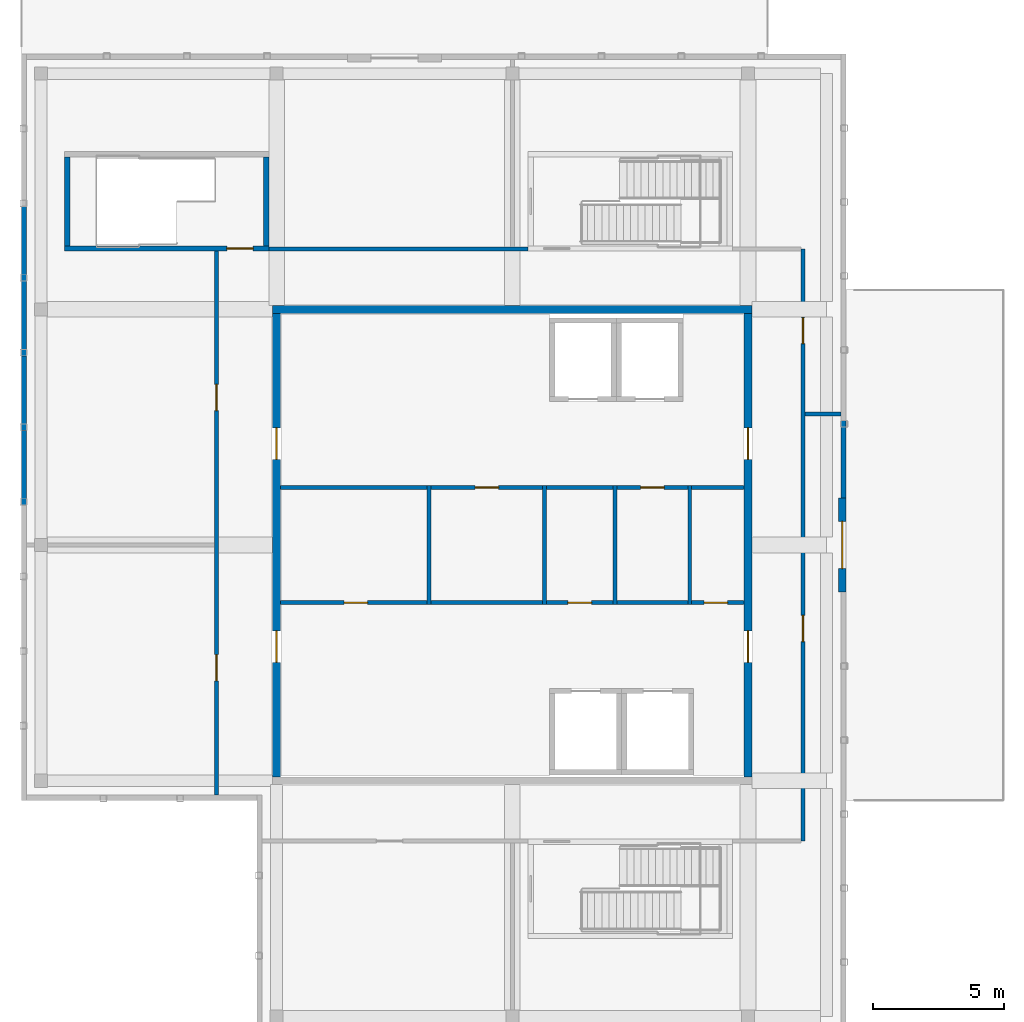
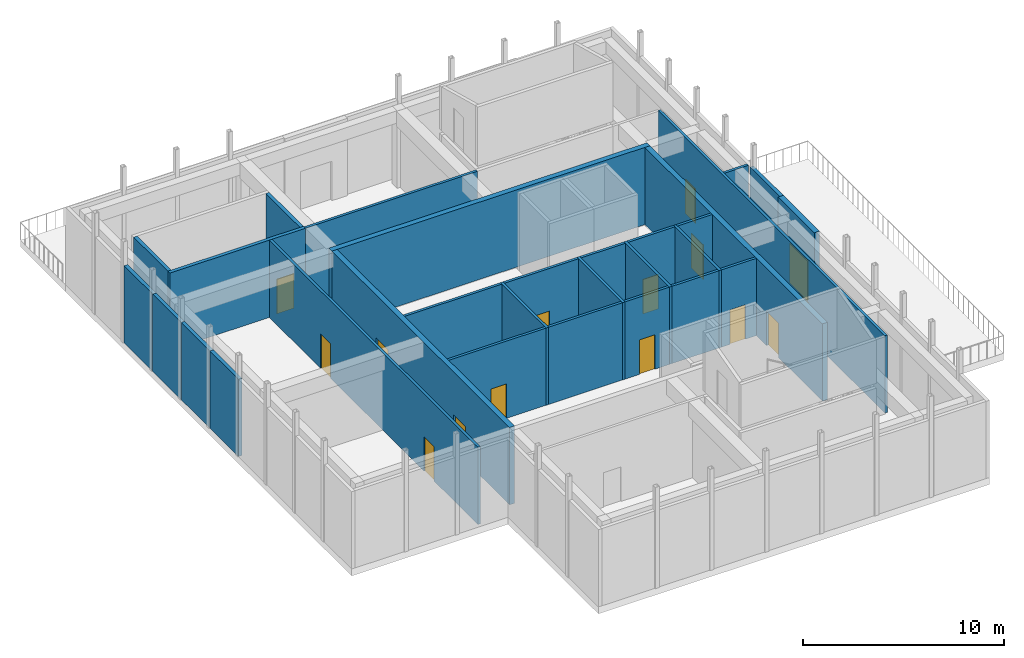
# One storey, part 8 of 11: 30 walls, 15 doors, 15 openings.
"""IFC4 building model written with IfcOpenShell, lengths in metres."""

from ifc_helpers import new_model, si_unit, direction, frame, frame_2d, origin, place, context, subcontext, project, spatial, rectangle, extrude, material, layer, layer_set, type_object, element, fill, save


model = new_model("IFC4")

# Units and contexts
model_context = context("Model", 3, precision=1e-05, world=origin(), true_north=direction((0.0, 1.0)))
body_context = subcontext(model_context, "Body", "Model", "MODEL_VIEW")
ifc_project = project(units=[si_unit("LENGTHUNIT", "METRE"), si_unit("AREAUNIT", "SQUARE_METRE"), si_unit("VOLUMEUNIT", "CUBIC_METRE"), si_unit("PLANEANGLEUNIT", "RADIAN"), si_unit("MASSUNIT", "GRAM", prefix="KILO")], contexts=[model_context])

# Site, building, storey
site_placement = place(None, origin())
site = spatial("IfcSite", under=ifc_project, at=site_placement, CompositionType="ELEMENT")
building_placement = place(site_placement, origin())
building = spatial("IfcBuilding", under=site, at=building_placement, Name="Tuart Plaza Theatre", CompositionType="ELEMENT")
storey_placement = place(building_placement, frame((0.0, 0.0, 65.5)))
storey = spatial("IfcBuildingStorey", under=building, at=storey_placement, Name="L16", CompositionType="ELEMENT", Elevation=65.5)

# Wall
ifc_material_1 = material(Name="Masonry block", Category="masonry")
ifc_layer_1 = layer(ifc_material_1, 0.14990234375)
ifc_layer_set_1 = layer_set([ifc_layer_1], Name="PARTITION BLK150 MASONRYB FRL -/120/120")
wall_type_1 = type_object("IfcWallType", Name="PARTITION BLK150 MASONRYB FRL -/120/120", PredefinedType="PARTITIONING", material=ifc_layer_set_1)
wall_1_placement = place(storey_placement, frame((128.824951171875, 71.72509765625, 0.0), z_axis=(0.0, 0.0, 1.0), x_axis=(0.0, 1.0, 0.0)))
element("IfcWall", 1, at=wall_1_placement, inside=storey, type_object=wall_type_1, Name="P721", PredefinedType="PARTITIONING", context=body_context, shape_type="SweptSolid", body=[
    extrude(rectangle(XDim=4.5498046875, YDim=0.14990234375, at=frame_2d((2.27490234375, 0.0))), origin(), (0.0, 0.0, 1.0), 4.699951171875),
])

# Wall, opening, door
wall_2_placement = place(storey_placement, frame((123.14990234375, 71.800048828125, 0.0), z_axis=(0.0, 0.0, 1.0), x_axis=(1.0, 0.0, 0.0)))
wall_2 = element("IfcWall", 2, at=wall_2_placement, inside=storey, type_object=wall_type_1, Name="P722", PredefinedType="PARTITIONING", context=body_context, shape_type="SweptSolid", body=[
    extrude(rectangle(XDim=5.60009765625, YDim=0.14990234375, at=frame_2d((2.800048828125, 0.0))), origin(), (0.0, 0.0, 1.0), 4.699951171875),
])
opening_1_placement = place(wall_2_placement, frame((2.425048828125, 0.0, 0.0)))
opening_1 = element("IfcOpeningElement", 3, at=opening_1_placement, cuts=wall_2, Name="Opening L16-016", PredefinedType="OPENING", context=body_context, shape_type="SweptSolid", body=[
    extrude(rectangle(XDim=0.89990234375, YDim=2.10009765625, at=frame_2d((0.449951171875, 1.050048828125))), frame((0.0, 0.0849609375, 0.0), z_axis=(0.0, -1.0, 0.0), x_axis=(1.0, 0.0, 0.0)), (0.0, 0.0, 1.0), 0.169921875),
])
ifc_material_2 = material(Name="Steel Grade 300", Category="steel")
door_type_1 = type_object("IfcDoorType", Name="DOOR 900x2100 steel single swing FRL -/120/30", OperationType="SINGLE_SWING_LEFT", PredefinedType="DOOR", material=ifc_material_2)
door_1_placement = place(opening_1_placement, origin())
door_1 = element("IfcDoor", 4, at=door_1_placement, inside=storey, type_object=door_type_1, Name="L16-016", OperationType="SINGLE_SWING_LEFT", OverallHeight=2.10009765625, OverallWidth=0.89990234375, PredefinedType="DOOR", context=body_context, shape_type="SweptSolid", body=[
    extrude(rectangle(XDim=0.89990234375, YDim=2.10009765625, at=frame_2d((0.449951171875, 1.050048828125))), frame((0.0, 0.02490234375, 0.0), z_axis=(0.0, -1.0, 0.0), x_axis=(1.0, 0.0, 0.0)), (0.0, 0.0, 1.0), 0.050048828125),
])
fill(opening_1, door_1)

# Walls
wall_3_placement = place(storey_placement, frame((123.14990234375, 76.199951171875, 0.0), z_axis=(0.0, 0.0, 1.0), x_axis=(1.0, 0.0, 0.0)))
element("IfcWall", 5, at=wall_3_placement, inside=storey, type_object=wall_type_1, Name="P723", PredefinedType="PARTITIONING", context=body_context, shape_type="SweptSolid", body=[
    extrude(rectangle(XDim=5.60009765625, YDim=0.14990234375, at=frame_2d((2.800048828125, 0.0))), origin(), (0.0, 0.0, 1.0), 4.699951171875),
])
wall_4_placement = place(storey_placement, frame((133.22509765625, 71.72509765625, 0.0), z_axis=(0.0, 0.0, 1.0), x_axis=(0.0, 1.0, 0.0)))
element("IfcWall", 6, at=wall_4_placement, inside=storey, type_object=wall_type_1, Name="P724", PredefinedType="PARTITIONING", context=body_context, shape_type="SweptSolid", body=[
    extrude(rectangle(XDim=4.5498046875, YDim=0.14990234375, at=frame_2d((2.27490234375, 0.0))), origin(), (0.0, 0.0, 1.0), 4.699951171875),
])
wall_5_placement = place(storey_placement, frame((128.89990234375, 71.800048828125, 0.0), z_axis=(0.0, 0.0, 1.0), x_axis=(1.0, 0.0, 0.0)))
element("IfcWall", 7, at=wall_5_placement, inside=storey, type_object=wall_type_1, Name="P725", PredefinedType="PARTITIONING", context=body_context, shape_type="SweptSolid", body=[
    extrude(rectangle(XDim=4.25, YDim=0.14990234375, at=frame_2d((2.125, 0.0))), origin(), (0.0, 0.0, 1.0), 4.699951171875),
])

# Wall, opening, door
wall_6_placement = place(storey_placement, frame((128.89990234375, 76.199951171875, 0.0), z_axis=(0.0, 0.0, 1.0), x_axis=(1.0, 0.0, 0.0)))
wall_6 = element("IfcWall", 8, at=wall_6_placement, inside=storey, type_object=wall_type_1, Name="P726", PredefinedType="PARTITIONING", context=body_context, shape_type="SweptSolid", body=[
    extrude(rectangle(XDim=4.25, YDim=0.14990234375, at=frame_2d((2.125, 0.0))), origin(), (0.0, 0.0, 1.0), 4.699951171875),
])
opening_2_placement = place(wall_6_placement, frame((1.675048828125, 0.0, 0.0)))
opening_2 = element("IfcOpeningElement", 9, at=opening_2_placement, cuts=wall_6, Name="Opening L16-017", PredefinedType="OPENING", context=body_context, shape_type="SweptSolid", body=[
    extrude(rectangle(XDim=0.89990234375, YDim=2.10009765625, at=frame_2d((0.449951171875, 1.050048828125))), frame((0.0, 0.0849609375, 0.0), z_axis=(0.0, -1.0, 0.0), x_axis=(1.0, 0.0, 0.0)), (0.0, 0.0, 1.0), 0.169921875),
])
door_2_placement = place(opening_2_placement, frame((0.89990234375, 0.0, 0.0), z_axis=(0.0, 0.0, 1.0), x_axis=(-1.0, 0.0, 0.0)))
door_2 = element("IfcDoor", 10, at=door_2_placement, inside=storey, type_object=door_type_1, Name="L16-017", OperationType="SINGLE_SWING_LEFT", OverallHeight=2.10009765625, OverallWidth=0.89990234375, PredefinedType="DOOR", context=body_context, shape_type="SweptSolid", body=[
    extrude(rectangle(XDim=0.89990234375, YDim=2.10009765625, at=frame_2d((0.449951171875, 1.050048828125))), frame((0.0, 0.02490234375, 0.0), z_axis=(0.0, -1.0, 0.0), x_axis=(1.0, 0.0, 0.0)), (0.0, 0.0, 1.0), 0.050048828125),
])
fill(opening_2, door_2)

# Wall
wall_7_placement = place(storey_placement, frame((135.925048828125, 71.72509765625, 0.0), z_axis=(0.0, 0.0, 1.0), x_axis=(0.0, 1.0, 0.0)))
element("IfcWall", 11, at=wall_7_placement, inside=storey, type_object=wall_type_1, Name="P727", PredefinedType="PARTITIONING", context=body_context, shape_type="SweptSolid", body=[
    extrude(rectangle(XDim=4.5498046875, YDim=0.14990234375, at=frame_2d((2.27490234375, 0.0))), origin(), (0.0, 0.0, 1.0), 4.699951171875),
])

# Wall, opening, door
wall_8_placement = place(storey_placement, frame((133.300048828125, 71.800048828125, 0.0), z_axis=(0.0, 0.0, 1.0), x_axis=(1.0, 0.0, 0.0)))
wall_8 = element("IfcWall", 12, at=wall_8_placement, inside=storey, type_object=wall_type_1, Name="P728", PredefinedType="PARTITIONING", context=body_context, shape_type="SweptSolid", body=[
    extrude(rectangle(XDim=2.550048828125, YDim=0.14990234375, at=frame_2d((1.27490234375, 0.0))), origin(), (0.0, 0.0, 1.0), 4.699951171875),
])
opening_3_placement = place(wall_8_placement, frame((0.824951171875, 0.0, 0.0)))
opening_3 = element("IfcOpeningElement", 13, at=opening_3_placement, cuts=wall_8, Name="Opening L16-018", PredefinedType="OPENING", context=body_context, shape_type="SweptSolid", body=[
    extrude(rectangle(XDim=0.89990234375, YDim=2.10009765625, at=frame_2d((0.449951171875, 1.050048828125))), frame((0.0, 0.0849609375, 0.0), z_axis=(0.0, -1.0, 0.0), x_axis=(1.0, 0.0, 0.0)), (0.0, 0.0, 1.0), 0.169921875),
])
door_3_placement = place(opening_3_placement, origin())
door_3 = element("IfcDoor", 14, at=door_3_placement, inside=storey, type_object=door_type_1, Name="L16-018", OperationType="SINGLE_SWING_LEFT", OverallHeight=2.10009765625, OverallWidth=0.89990234375, PredefinedType="DOOR", context=body_context, shape_type="SweptSolid", body=[
    extrude(rectangle(XDim=0.89990234375, YDim=2.10009765625, at=frame_2d((0.449951171875, 1.050048828125))), frame((0.0, 0.02490234375, 0.0), z_axis=(0.0, -1.0, 0.0), x_axis=(1.0, 0.0, 0.0)), (0.0, 0.0, 1.0), 0.050048828125),
])
fill(opening_3, door_3)

# Walls
wall_9_placement = place(storey_placement, frame((133.300048828125, 76.199951171875, 0.0), z_axis=(0.0, 0.0, 1.0), x_axis=(1.0, 0.0, 0.0)))
element("IfcWall", 15, at=wall_9_placement, inside=storey, type_object=wall_type_1, Name="P729", PredefinedType="PARTITIONING", context=body_context, shape_type="SweptSolid", body=[
    extrude(rectangle(XDim=2.550048828125, YDim=0.14990234375, at=frame_2d((1.27490234375, 0.0))), origin(), (0.0, 0.0, 1.0), 4.699951171875),
])
wall_10_placement = place(storey_placement, frame((138.77490234375, 71.72509765625, 0.0), z_axis=(0.0, 0.0, 1.0), x_axis=(0.0, 1.0, 0.0)))
element("IfcWall", 16, at=wall_10_placement, inside=storey, type_object=wall_type_1, Name="P730", PredefinedType="PARTITIONING", context=body_context, shape_type="SweptSolid", body=[
    extrude(rectangle(XDim=4.5498046875, YDim=0.14990234375, at=frame_2d((2.27490234375, 0.0))), origin(), (0.0, 0.0, 1.0), 4.699951171875),
])
wall_11_placement = place(storey_placement, frame((136.0, 71.800048828125, 0.0), z_axis=(0.0, 0.0, 1.0), x_axis=(1.0, 0.0, 0.0)))
element("IfcWall", 17, at=wall_11_placement, inside=storey, type_object=wall_type_1, Name="P731", PredefinedType="PARTITIONING", context=body_context, shape_type="SweptSolid", body=[
    extrude(rectangle(XDim=2.699951171875, YDim=0.14990234375, at=frame_2d((1.35009765625, 0.0))), origin(), (0.0, 0.0, 1.0), 4.699951171875),
])

# Wall, opening, door
wall_12_placement = place(storey_placement, frame((136.0, 76.199951171875, 0.0), z_axis=(0.0, 0.0, 1.0), x_axis=(1.0, 0.0, 0.0)))
wall_12 = element("IfcWall", 18, at=wall_12_placement, inside=storey, type_object=wall_type_1, Name="P732", PredefinedType="PARTITIONING", context=body_context, shape_type="SweptSolid", body=[
    extrude(rectangle(XDim=2.699951171875, YDim=0.14990234375, at=frame_2d((1.35009765625, 0.0))), origin(), (0.0, 0.0, 1.0), 4.699951171875),
])
opening_4_placement = place(wall_12_placement, frame((0.89990234375, 0.0, 0.0)))
opening_4 = element("IfcOpeningElement", 19, at=opening_4_placement, cuts=wall_12, Name="Opening L16-019", PredefinedType="OPENING", context=body_context, shape_type="SweptSolid", body=[
    extrude(rectangle(XDim=0.89990234375, YDim=2.10009765625, at=frame_2d((0.449951171875, 1.050048828125))), frame((0.0, 0.0849609375, 0.0), z_axis=(0.0, -1.0, 0.0), x_axis=(1.0, 0.0, 0.0)), (0.0, 0.0, 1.0), 0.169921875),
])
door_4_placement = place(opening_4_placement, frame((0.89990234375, 0.0, 0.0), z_axis=(0.0, 0.0, 1.0), x_axis=(-1.0, 0.0, 0.0)))
door_4 = element("IfcDoor", 20, at=door_4_placement, inside=storey, type_object=door_type_1, Name="L16-019", OperationType="SINGLE_SWING_LEFT", OverallHeight=2.10009765625, OverallWidth=0.89990234375, PredefinedType="DOOR", context=body_context, shape_type="SweptSolid", body=[
    extrude(rectangle(XDim=0.89990234375, YDim=2.10009765625, at=frame_2d((0.449951171875, 1.050048828125))), frame((0.0, 0.02490234375, 0.0), z_axis=(0.0, -1.0, 0.0), x_axis=(1.0, 0.0, 0.0)), (0.0, 0.0, 1.0), 0.050048828125),
])
fill(opening_4, door_4)

wall_13_placement = place(storey_placement, frame((138.85009765625, 71.800048828125, 0.0), z_axis=(0.0, 0.0, 1.0), x_axis=(1.0, 0.0, 0.0)))
wall_13 = element("IfcWall", 21, at=wall_13_placement, inside=storey, type_object=wall_type_1, Name="P733", PredefinedType="PARTITIONING", context=body_context, shape_type="SweptSolid", body=[
    extrude(rectangle(XDim=2.0, YDim=0.14990234375, at=frame_2d((1.0, 0.0))), origin(), (0.0, 0.0, 1.0), 4.699951171875),
])
opening_5_placement = place(wall_13_placement, frame((0.47509765625, 0.0, 0.0)))
opening_5 = element("IfcOpeningElement", 22, at=opening_5_placement, cuts=wall_13, Name="Opening L16-020", PredefinedType="OPENING", context=body_context, shape_type="SweptSolid", body=[
    extrude(rectangle(XDim=0.89990234375, YDim=2.10009765625, at=frame_2d((0.449951171875, 1.050048828125))), frame((0.0, 0.0849609375, 0.0), z_axis=(0.0, -1.0, 0.0), x_axis=(1.0, 0.0, 0.0)), (0.0, 0.0, 1.0), 0.169921875),
])
door_5_placement = place(opening_5_placement, origin())
door_5 = element("IfcDoor", 23, at=door_5_placement, inside=storey, type_object=door_type_1, Name="L16-020", OperationType="SINGLE_SWING_RIGHT", OverallHeight=2.10009765625, OverallWidth=0.89990234375, PredefinedType="DOOR", context=body_context, shape_type="SweptSolid", body=[
    extrude(rectangle(XDim=0.89990234375, YDim=2.10009765625, at=frame_2d((0.449951171875, 1.050048828125))), frame((0.0, 0.02490234375, 0.0), z_axis=(0.0, -1.0, 0.0), x_axis=(1.0, 0.0, 0.0)), (0.0, 0.0, 1.0), 0.050048828125),
])
fill(opening_5, door_5)

# Wall
wall_14_placement = place(storey_placement, frame((138.85009765625, 76.199951171875, 0.0), z_axis=(0.0, 0.0, 1.0), x_axis=(1.0, 0.0, 0.0)))
element("IfcWall", 24, at=wall_14_placement, inside=storey, type_object=wall_type_1, Name="P734", PredefinedType="PARTITIONING", context=body_context, shape_type="SweptSolid", body=[
    extrude(rectangle(XDim=2.0, YDim=0.14990234375, at=frame_2d((1.0, 0.0))), origin(), (0.0, 0.0, 1.0), 4.699951171875),
])

# Wall, openings, doors
ifc_material_3 = material(Name="Masonry block", Category="masonry")
ifc_layer_2 = layer(ifc_material_3, 0.14990234375)
ifc_layer_set_2 = layer_set([ifc_layer_2], Name="PARTITION BLK150 MASONRYB FRL 120/-/-")
wall_type_2 = type_object("IfcWallType", Name="PARTITION BLK150 MASONRYB FRL 120/-/-", PredefinedType="PARTITIONING", material=ifc_layer_set_2)
wall_15_placement = place(storey_placement, frame((120.699951171875, 64.449951171875, 0.0), z_axis=(0.0, 0.0, 1.0), x_axis=(0.0, 1.0, 0.0)))
wall_15 = element("IfcWall", 25, at=wall_15_placement, inside=storey, type_object=wall_type_2, Name="P737", PredefinedType="PARTITIONING", context=body_context, shape_type="SweptSolid", body=[
    extrude(rectangle(XDim=20.775146484375, YDim=0.14990234375, at=frame_2d((10.3876953125, 0.0))), origin(), (0.0, 0.0, 1.0), 4.699951171875),
])
opening_6_placement = place(wall_15_placement, frame((4.362548828125, 0.0, 0.0)))
opening_6 = element("IfcOpeningElement", 26, at=opening_6_placement, cuts=wall_15, Name="Opening L16-023", PredefinedType="OPENING", context=body_context, shape_type="SweptSolid", body=[
    extrude(rectangle(XDim=1.0, YDim=2.10009765625, at=frame_2d((0.5, 1.050048828125))), frame((0.0, 0.0849609375, 0.0), z_axis=(0.0, -1.0, 0.0), x_axis=(1.0, 0.0, 0.0)), (0.0, 0.0, 1.0), 0.169921875),
])
opening_7_placement = place(wall_15_placement, frame((14.68505859375, 0.0, 0.0)))
opening_7 = element("IfcOpeningElement", 27, at=opening_7_placement, cuts=wall_15, Name="Opening L16-024", PredefinedType="OPENING", context=body_context, shape_type="SweptSolid", body=[
    extrude(rectangle(XDim=1.0, YDim=2.10009765625, at=frame_2d((0.5, 1.050048828125))), frame((0.0, 0.0849609375, 0.0), z_axis=(0.0, -1.0, 0.0), x_axis=(1.0, 0.0, 0.0)), (0.0, 0.0, 1.0), 0.169921875),
])
ifc_material_4 = material(Name="Timber", Category="wood")
door_type_2 = type_object("IfcDoorType", Name="DOOR 1000x2100 timber single swing FRL -/60/30", OperationType="SINGLE_SWING_LEFT", PredefinedType="DOOR", material=ifc_material_4)
door_6_placement = place(opening_6_placement, origin())
door_6 = element("IfcDoor", 28, at=door_6_placement, inside=storey, type_object=door_type_2, Name="L16-023", OperationType="SINGLE_SWING_RIGHT", OverallHeight=2.10009765625, OverallWidth=1.0, PredefinedType="DOOR", context=body_context, shape_type="SweptSolid", body=[
    extrude(rectangle(XDim=1.0, YDim=2.10009765625, at=frame_2d((0.5, 1.050048828125))), frame((0.0, 0.02490234375, 0.0), z_axis=(0.0, -1.0, 0.0), x_axis=(1.0, 0.0, 0.0)), (0.0, 0.0, 1.0), 0.050048828125),
])
fill(opening_6, door_6)
door_7_placement = place(opening_7_placement, origin())
door_7 = element("IfcDoor", 29, at=door_7_placement, inside=storey, type_object=door_type_2, Name="L16-024", OperationType="SINGLE_SWING_LEFT", OverallHeight=2.10009765625, OverallWidth=1.0, PredefinedType="DOOR", context=body_context, shape_type="SweptSolid", body=[
    extrude(rectangle(XDim=1.0, YDim=2.10009765625, at=frame_2d((0.5, 1.050048828125))), frame((0.0, 0.02490234375, 0.0), z_axis=(0.0, -1.0, 0.0), x_axis=(1.0, 0.0, 0.0)), (0.0, 0.0, 1.0), 0.050048828125),
])
fill(opening_7, door_7)

# Wall
wall_16_placement = place(storey_placement, frame((122.699951171875, 85.300048828125, 0.0), z_axis=(0.0, 0.0, 1.0), x_axis=(1.0, 0.0, 0.0)))
element("IfcWall", 30, at=wall_16_placement, inside=storey, type_object=wall_type_2, Name="P738", PredefinedType="PARTITIONING", context=body_context, shape_type="SweptSolid", body=[
    extrude(rectangle(XDim=9.900146484375, YDim=0.14990234375, at=frame_2d((4.9501953125, 0.0))), origin(), (0.0, 0.0, 1.0), 4.699951171875),
])

# Wall, openings, doors
wall_17_placement = place(storey_placement, frame((143.10009765625, 85.300048828125, 0.0), z_axis=(0.0, 0.0, 1.0), x_axis=(0.0, -1.0, 0.0)))
wall_17 = element("IfcWall", 31, at=wall_17_placement, inside=storey, type_object=wall_type_2, Name="P740", PredefinedType="PARTITIONING", context=body_context, shape_type="SweptSolid", body=[
    extrude(rectangle(XDim=22.60009765625, YDim=0.14990234375, at=frame_2d((11.300048828125, 0.0))), origin(), (0.0, 0.0, 1.0), 4.699951171875),
])
opening_8_placement = place(wall_17_placement, frame((13.987548828125, 0.0, 0.0)))
opening_8 = element("IfcOpeningElement", 32, at=opening_8_placement, cuts=wall_17, Name="Opening L16-022", PredefinedType="OPENING", context=body_context, shape_type="SweptSolid", body=[
    extrude(rectangle(XDim=1.0, YDim=2.10009765625, at=frame_2d((0.5, 1.050048828125))), frame((0.0, 0.0849609375, 0.0), z_axis=(0.0, -1.0, 0.0), x_axis=(1.0, 0.0, 0.0)), (0.0, 0.0, 1.0), 0.169921875),
])
opening_9_placement = place(wall_17_placement, frame((2.612548828125, 0.0, 0.0)))
opening_9 = element("IfcOpeningElement", 33, at=opening_9_placement, cuts=wall_17, Name="Opening L16-025", PredefinedType="OPENING", context=body_context, shape_type="SweptSolid", body=[
    extrude(rectangle(XDim=1.0, YDim=2.10009765625, at=frame_2d((0.5, 1.050048828125))), frame((0.0, 0.0849609375, 0.0), z_axis=(0.0, -1.0, 0.0), x_axis=(1.0, 0.0, 0.0)), (0.0, 0.0, 1.0), 0.169921875),
])
door_8_placement = place(opening_8_placement, origin())
door_8 = element("IfcDoor", 34, at=door_8_placement, inside=storey, type_object=door_type_2, Name="L16-022", OperationType="SINGLE_SWING_LEFT", OverallHeight=2.10009765625, OverallWidth=1.0, PredefinedType="DOOR", context=body_context, shape_type="SweptSolid", body=[
    extrude(rectangle(XDim=1.0, YDim=2.10009765625, at=frame_2d((0.5, 1.050048828125))), frame((0.0, 0.02490234375, 0.0), z_axis=(0.0, -1.0, 0.0), x_axis=(1.0, 0.0, 0.0)), (0.0, 0.0, 1.0), 0.050048828125),
])
fill(opening_8, door_8)
door_9_placement = place(opening_9_placement, frame((1.0, 0.0, 0.0), z_axis=(0.0, 0.0, 1.0), x_axis=(-1.0, 0.0, 0.0)))
door_9 = element("IfcDoor", 35, at=door_9_placement, inside=storey, type_object=door_type_2, Name="L16-025", OperationType="SINGLE_SWING_LEFT", OverallHeight=2.10009765625, OverallWidth=1.0, PredefinedType="DOOR", context=body_context, shape_type="SweptSolid", body=[
    extrude(rectangle(XDim=1.0, YDim=2.10009765625, at=frame_2d((0.5, 1.050048828125))), frame((0.0, 0.02490234375, 0.0), z_axis=(0.0, -1.0, 0.0), x_axis=(1.0, 0.0, 0.0)), (0.0, 0.0, 1.0), 0.050048828125),
])
fill(opening_9, door_9)

# Wall
wall_18_placement = place(storey_placement, frame((143.174072265625, 79.0, 0.0), z_axis=(0.0, 0.0, 1.0), x_axis=(1.0, 0.0, 0.0)))
element("IfcWall", 36, at=wall_18_placement, inside=storey, type_object=wall_type_2, Name="P744", PredefinedType="PARTITIONING", context=body_context, shape_type="SweptSolid", body=[
    extrude(rectangle(XDim=1.376953125, YDim=0.14990234375, at=frame_2d((0.6884765625, 0.0))), origin(), (0.0, 0.0, 1.0), 4.699951171875),
])

# Wall, opening, door
ifc_material_5 = material(Name="Concrete N40 (40 MPa)", Category="concrete")
ifc_layer_3 = layer(ifc_material_5, 0.199951171875)
ifc_layer_set_3 = layer_set([ifc_layer_3], Name="SHEAR WALL RC200 FRL 120/120/120")
wall_type_3 = type_object("IfcWallType", Name="SHEAR WALL RC200 FRL 120/120/120", PredefinedType="SHEAR", material=ifc_layer_set_3)
wall_19_placement = place(storey_placement, frame((114.89990234375, 85.324951171875, 0.0), z_axis=(0.0, 0.0, 1.0), x_axis=(1.0, 0.0, 0.0)))
wall_19 = element("IfcWall", 37, at=wall_19_placement, inside=storey, type_object=wall_type_3, Name="P472", PredefinedType="SHEAR", context=body_context, shape_type="SweptSolid", body=[
    extrude(rectangle(XDim=7.800048828125, YDim=0.199951171875, at=frame_2d((3.89990234375, 0.0))), origin(), (0.0, 0.0, 1.0), 4.699951171875),
])
opening_10_placement = place(wall_19_placement, frame((6.199951171875, 0.0, 0.0)))
opening_10 = element("IfcOpeningElement", 38, at=opening_10_placement, cuts=wall_19, Name="Opening L16-009", PredefinedType="OPENING", context=body_context, shape_type="SweptSolid", body=[
    extrude(rectangle(XDim=1.0, YDim=2.10009765625, at=frame_2d((0.5, 1.050048828125))), frame((0.0, 0.10986328125, 0.0), z_axis=(0.0, -1.0, 0.0), x_axis=(1.0, 0.0, 0.0)), (0.0, 0.0, 1.0), 0.219970703125),
])
ifc_material_6 = material(Name="Steel Grade 300", Category="steel")
door_type_3 = type_object("IfcDoorType", Name="DOOR 1000x2100 steel single swing FRL -/120/30", OperationType="SINGLE_SWING_LEFT", PredefinedType="DOOR", material=ifc_material_6)
door_10_placement = place(opening_10_placement, origin())
door_10 = element("IfcDoor", 39, at=door_10_placement, inside=storey, type_object=door_type_3, Name="L16-009", OperationType="SINGLE_SWING_LEFT", OverallHeight=2.10009765625, OverallWidth=1.0, PredefinedType="DOOR", context=body_context, shape_type="SweptSolid", body=[
    extrude(rectangle(XDim=1.0, YDim=2.10009765625, at=frame_2d((0.5, 1.050048828125))), frame((0.0, 0.02490234375, 0.0), z_axis=(0.0, -1.0, 0.0), x_axis=(1.0, 0.0, 0.0)), (0.0, 0.0, 1.0), 0.050048828125),
])
fill(opening_10, door_10)

# Walls
for number, where, z_axis, x_axis, name in (
    (40, (122.60009765625, 85.425048828125, 0.0), (0.0, 0.0, 1.0), (0.0, 1.0, 0.0), "P473"),
    (41, (115.0, 88.824951171875, 0.0), (0.0, 0.0, 1.0), (0.0, -1.0, 0.0), "P475"),
):
    element("IfcWall", number, at=place(storey_placement, frame(where, z_axis=z_axis, x_axis=x_axis)), inside=storey, type_object=wall_type_3, Name=name, PredefinedType="SHEAR", context=body_context, shape_type="SweptSolid", body=[
        extrude(rectangle(XDim=3.39990234375, YDim=0.199951171875, at=frame_2d((1.699951171875, 0.0))), origin(), (0.0, 0.0, 1.0), 4.699951171875),
    ])

# Wall, openings, doors
ifc_material_7 = material(Name="Concrete N40 (40 MPa)", Category="concrete")
ifc_layer_4 = layer(ifc_material_7, 0.300048828125)
ifc_layer_set_4 = layer_set([ifc_layer_4], Name="SHEAR WALL RC300 FRL 120/120/120")
wall_type_4 = type_object("IfcWallType", Name="SHEAR WALL RC300 FRL 120/120/120", PredefinedType="SHEAR", material=ifc_layer_set_4)
wall_20_placement = place(storey_placement, frame((141.0, 65.14990234375, 0.0), z_axis=(0.0, 0.0, 1.0), x_axis=(0.0, 1.0, 0.0)))
wall_20 = element("IfcWall", 42, at=wall_20_placement, inside=storey, type_object=wall_type_4, Name="W444", PredefinedType="SHEAR", context=body_context, shape_type="SweptSolid", body=[
    extrude(rectangle(XDim=17.7001953125, YDim=0.300048828125, at=frame_2d((8.85009765625, 0.0))), origin(), (0.0, 0.0, 1.0), 4.699951171875),
])
opening_11_placement = place(wall_20_placement, frame((4.375, 0.0, 0.0)))
opening_11 = element("IfcOpeningElement", 43, at=opening_11_placement, cuts=wall_20, Name="Opening L16-013", PredefinedType="OPENING", context=body_context, shape_type="SweptSolid", body=[
    extrude(rectangle(XDim=1.199951171875, YDim=2.10009765625, at=frame_2d((0.60009765625, 1.050048828125))), frame((0.0, 0.159912109375, 0.0), z_axis=(0.0, -1.0, 0.0), x_axis=(1.0, 0.0, 0.0)), (0.0, 0.0, 1.0), 0.320068359375),
])
opening_12_placement = place(wall_20_placement, frame((12.125, 0.0, 0.0)))
opening_12 = element("IfcOpeningElement", 44, at=opening_12_placement, cuts=wall_20, Name="Opening L16-015", PredefinedType="OPENING", context=body_context, shape_type="SweptSolid", body=[
    extrude(rectangle(XDim=1.199951171875, YDim=2.10009765625, at=frame_2d((0.60009765625, 1.050048828125))), frame((0.0, 0.159912109375, 0.0), z_axis=(0.0, -1.0, 0.0), x_axis=(1.0, 0.0, 0.0)), (0.0, 0.0, 1.0), 0.320068359375),
])
ifc_material_8 = material(Name="Steel Grade 300", Category="steel")
door_type_4 = type_object("IfcDoorType", Name="DOOR 1200x2100 steel single swing FRL -/120/30", OperationType="SINGLE_SWING_LEFT", PredefinedType="DOOR", material=ifc_material_8)
door_11_placement = place(opening_11_placement, frame((1.199951171875, 0.0, 0.0), z_axis=(0.0, 0.0, 1.0), x_axis=(-1.0, 0.0, 0.0)))
door_11 = element("IfcDoor", 45, at=door_11_placement, inside=storey, type_object=door_type_4, Name="L16-013", OperationType="SINGLE_SWING_LEFT", OverallHeight=2.10009765625, OverallWidth=1.199951171875, PredefinedType="DOOR", context=body_context, shape_type="SweptSolid", body=[
    extrude(rectangle(XDim=1.199951171875, YDim=2.10009765625, at=frame_2d((0.60009765625, 1.050048828125))), frame((0.0, 0.02490234375, 0.0), z_axis=(0.0, -1.0, 0.0), x_axis=(1.0, 0.0, 0.0)), (0.0, 0.0, 1.0), 0.050048828125),
])
fill(opening_11, door_11)
door_12_placement = place(opening_12_placement, frame((1.199951171875, 0.0, 0.0), z_axis=(0.0, 0.0, 1.0), x_axis=(-1.0, 0.0, 0.0)))
door_12 = element("IfcDoor", 46, at=door_12_placement, inside=storey, type_object=door_type_4, Name="L16-015", OperationType="SINGLE_SWING_RIGHT", OverallHeight=2.10009765625, OverallWidth=1.199951171875, PredefinedType="DOOR", context=body_context, shape_type="SweptSolid", body=[
    extrude(rectangle(XDim=1.199951171875, YDim=2.10009765625, at=frame_2d((0.60009765625, 1.050048828125))), frame((0.0, 0.02490234375, 0.0), z_axis=(0.0, -1.0, 0.0), x_axis=(1.0, 0.0, 0.0)), (0.0, 0.0, 1.0), 0.050048828125),
])
fill(opening_12, door_12)

# Wall
wall_21_placement = place(storey_placement, frame((141.14990234375, 83.0, 0.0), z_axis=(0.0, 0.0, 1.0), x_axis=(-1.0, 0.0, 0.0)))
element("IfcWall", 47, at=wall_21_placement, inside=storey, type_object=wall_type_4, Name="W445", PredefinedType="SHEAR", context=body_context, shape_type="SweptSolid", body=[
    extrude(rectangle(XDim=18.2998046875, YDim=0.300048828125, at=frame_2d((9.14990234375, 0.0))), origin(), (0.0, 0.0, 1.0), 4.699951171875),
])

# Wall, openings, doors
wall_22_placement = place(storey_placement, frame((123.0, 82.85009765625, 0.0), z_axis=(0.0, 0.0, 1.0), x_axis=(0.0, -1.0, 0.0)))
wall_22 = element("IfcWall", 48, at=wall_22_placement, inside=storey, type_object=wall_type_4, Name="W446", PredefinedType="SHEAR", context=body_context, shape_type="SweptSolid", body=[
    extrude(rectangle(XDim=17.7001953125, YDim=0.300048828125, at=frame_2d((8.85009765625, 0.0))), origin(), (0.0, 0.0, 1.0), 4.699951171875),
])
opening_13_placement = place(wall_22_placement, frame((12.125, 0.0, 0.0)))
opening_13 = element("IfcOpeningElement", 49, at=opening_13_placement, cuts=wall_22, Name="Opening L16-012", PredefinedType="OPENING", context=body_context, shape_type="SweptSolid", body=[
    extrude(rectangle(XDim=1.199951171875, YDim=2.10009765625, at=frame_2d((0.60009765625, 1.050048828125))), frame((0.0, 0.159912109375, 0.0), z_axis=(0.0, -1.0, 0.0), x_axis=(1.0, 0.0, 0.0)), (0.0, 0.0, 1.0), 0.320068359375),
])
opening_14_placement = place(wall_22_placement, frame((4.375, 0.0, 0.0)))
opening_14 = element("IfcOpeningElement", 50, at=opening_14_placement, cuts=wall_22, Name="Opening L16-014", PredefinedType="OPENING", context=body_context, shape_type="SweptSolid", body=[
    extrude(rectangle(XDim=1.199951171875, YDim=2.10009765625, at=frame_2d((0.60009765625, 1.050048828125))), frame((0.0, 0.159912109375, 0.0), z_axis=(0.0, -1.0, 0.0), x_axis=(1.0, 0.0, 0.0)), (0.0, 0.0, 1.0), 0.320068359375),
])
door_13_placement = place(opening_13_placement, frame((1.199951171875, 0.0, 0.0), z_axis=(0.0, 0.0, 1.0), x_axis=(-1.0, 0.0, 0.0)))
door_13 = element("IfcDoor", 51, at=door_13_placement, inside=storey, type_object=door_type_4, Name="L16-012", OperationType="SINGLE_SWING_RIGHT", OverallHeight=2.10009765625, OverallWidth=1.199951171875, PredefinedType="DOOR", context=body_context, shape_type="SweptSolid", body=[
    extrude(rectangle(XDim=1.199951171875, YDim=2.10009765625, at=frame_2d((0.60009765625, 1.050048828125))), frame((0.0, 0.02490234375, 0.0), z_axis=(0.0, -1.0, 0.0), x_axis=(1.0, 0.0, 0.0)), (0.0, 0.0, 1.0), 0.050048828125),
])
fill(opening_13, door_13)
door_14_placement = place(opening_14_placement, frame((1.199951171875, 0.0, 0.0), z_axis=(0.0, 0.0, 1.0), x_axis=(-1.0, 0.0, 0.0)))
door_14 = element("IfcDoor", 52, at=door_14_placement, inside=storey, type_object=door_type_4, Name="L16-014", OperationType="SINGLE_SWING_LEFT", OverallHeight=2.10009765625, OverallWidth=1.199951171875, PredefinedType="DOOR", context=body_context, shape_type="SweptSolid", body=[
    extrude(rectangle(XDim=1.199951171875, YDim=2.10009765625, at=frame_2d((0.60009765625, 1.050048828125))), frame((0.0, 0.02490234375, 0.0), z_axis=(0.0, -1.0, 0.0), x_axis=(1.0, 0.0, 0.0)), (0.0, 0.0, 1.0), 0.050048828125),
])
fill(opening_14, door_14)

# Walls
ifc_material_9 = material(Name="Steel perforated panel", Category="steel")
ifc_layer_5 = layer(ifc_material_9, 0.199951171875)
ifc_layer_set_5 = layer_set([ifc_layer_5], Name="WALL CLD200 STEELPER EXT plant screen")
wall_type_5 = type_object("IfcWallType", Name="WALL CLD200 STEELPER EXT plant screen", PredefinedType="SOLIDWALL", material=ifc_layer_set_5)
wall_23_placement = place(storey_placement, frame((144.64990234375, 75.800048828125, 0.0), z_axis=(0.0, 0.0, 1.0), x_axis=(0.0, 1.0, 0.0)))
element("IfcWall", 53, at=wall_23_placement, inside=storey, type_object=wall_type_5, Name="P149", PredefinedType="SOLIDWALL", context=body_context, shape_type="SweptSolid", body=[
    extrude(rectangle(XDim=2.949951171875, YDim=0.199951171875, at=frame_2d((1.47509765625, 0.0))), origin(), (0.0, 0.0, 1.0), 4.699951171875),
])
wall_24_placement = place(storey_placement, frame((113.35009765625, 86.925048828125, 0.0), z_axis=(0.0, 0.0, 1.0), x_axis=(0.0, -1.0, 0.0)))
element("IfcWall", 54, at=wall_24_placement, inside=storey, type_object=wall_type_5, Name="P167", PredefinedType="SOLIDWALL", context=body_context, shape_type="SweptSolid", body=[
    extrude(rectangle(XDim=2.85009765625, YDim=0.199951171875, at=frame_2d((1.425048828125, 0.0))), origin(), (0.0, 0.0, 1.0), 4.699951171875),
])
wall_25_placement = place(storey_placement, frame((113.35009765625, 84.074951171875, 0.0), z_axis=(0.0, 0.0, 1.0), x_axis=(0.0, -1.0, 0.0)))
element("IfcWall", 55, at=wall_25_placement, inside=storey, type_object=wall_type_5, Name="P168", PredefinedType="SOLIDWALL", context=body_context, shape_type="SweptSolid", body=[
    extrude(rectangle(XDim=2.849853515625, YDim=0.199951171875, at=frame_2d((1.4248046875, 0.0))), origin(), (0.0, 0.0, 1.0), 4.699951171875),
])
for number, where, z_axis, x_axis, name in (
    (56, (113.35009765625, 81.22509765625, 0.0), (0.0, 0.0, 1.0), (0.0, -1.0, 0.0), "P169"),
    (57, (113.35009765625, 78.375, 0.0), (0.0, 0.0, 1.0), (0.0, -1.0, 0.0), "P170"),
):
    element("IfcWall", number, at=place(storey_placement, frame(where, z_axis=z_axis, x_axis=x_axis)), inside=storey, type_object=wall_type_5, Name=name, PredefinedType="SOLIDWALL", context=body_context, shape_type="SweptSolid", body=[
        extrude(rectangle(XDim=2.85009765625, YDim=0.199951171875, at=frame_2d((1.425048828125, 0.0))), origin(), (0.0, 0.0, 1.0), 4.699951171875),
    ])

# Wall, opening, door
ifc_material_10 = material(Name="Concrete N40 (40 MPa)", Category="concrete")
ifc_layer_6 = layer(ifc_material_10, 0.300048828125)
ifc_layer_set_6 = layer_set([ifc_layer_6], Name="WALL RC300 EXT clad")
wall_type_6 = type_object("IfcWallType", Name="WALL RC300 EXT clad", PredefinedType="SOLIDWALL", material=ifc_layer_set_6)
wall_26_placement = place(storey_placement, frame((144.60009765625, 72.199951171875, 0.0), z_axis=(0.0, 0.0, 1.0), x_axis=(0.0, 1.0, 0.0)))
wall_26 = element("IfcWall", 58, at=wall_26_placement, inside=storey, type_object=wall_type_6, Name="P148", PredefinedType="SOLIDWALL", context=body_context, shape_type="SweptSolid", body=[
    extrude(rectangle(XDim=3.60009765625, YDim=0.300048828125, at=frame_2d((1.800048828125, 0.0))), origin(), (0.0, 0.0, 1.0), 4.699951171875),
])
opening_15_placement = place(wall_26_placement, frame((0.89990234375, 0.0, 0.0)))
opening_15 = element("IfcOpeningElement", 59, at=opening_15_placement, cuts=wall_26, Name="Opening L16-001", PredefinedType="OPENING", context=body_context, shape_type="SweptSolid", body=[
    extrude(rectangle(XDim=1.800048828125, YDim=2.39990234375, at=frame_2d((0.89990234375, 1.199951171875))), frame((0.0, 0.159912109375, 0.0), z_axis=(0.0, -1.0, 0.0), x_axis=(1.0, 0.0, 0.0)), (0.0, 0.0, 1.0), 0.320068359375),
])
ifc_material_11 = material(Name="Aluminium", Category="aluminium")
door_type_5 = type_object("IfcDoorType", Name="DOOR 1800x2400 aluminium double swing glazed", OperationType="DOUBLE_DOOR_SINGLE_SWING", PredefinedType="DOOR", material=ifc_material_11)
door_15_placement = place(opening_15_placement, frame((1.800048828125, 0.0, 0.0), z_axis=(0.0, 0.0, 1.0), x_axis=(-1.0, 0.0, 0.0)))
door_15 = element("IfcDoor", 60, at=door_15_placement, inside=storey, type_object=door_type_5, Name="L16-001", OperationType="DOUBLE_DOOR_SINGLE_SWING", OverallHeight=2.39990234375, OverallWidth=1.800048828125, PredefinedType="DOOR", context=body_context, shape_type="SweptSolid", body=[
    extrude(rectangle(XDim=1.800048828125, YDim=2.39990234375, at=frame_2d((0.89990234375, 1.199951171875))), frame((0.0, 0.02490234375, 0.0), z_axis=(0.0, -1.0, 0.0), x_axis=(1.0, 0.0, 0.0)), (0.0, 0.0, 1.0), 0.050048828125),
])
fill(opening_15, door_15)

save(model, "model.ifc")
